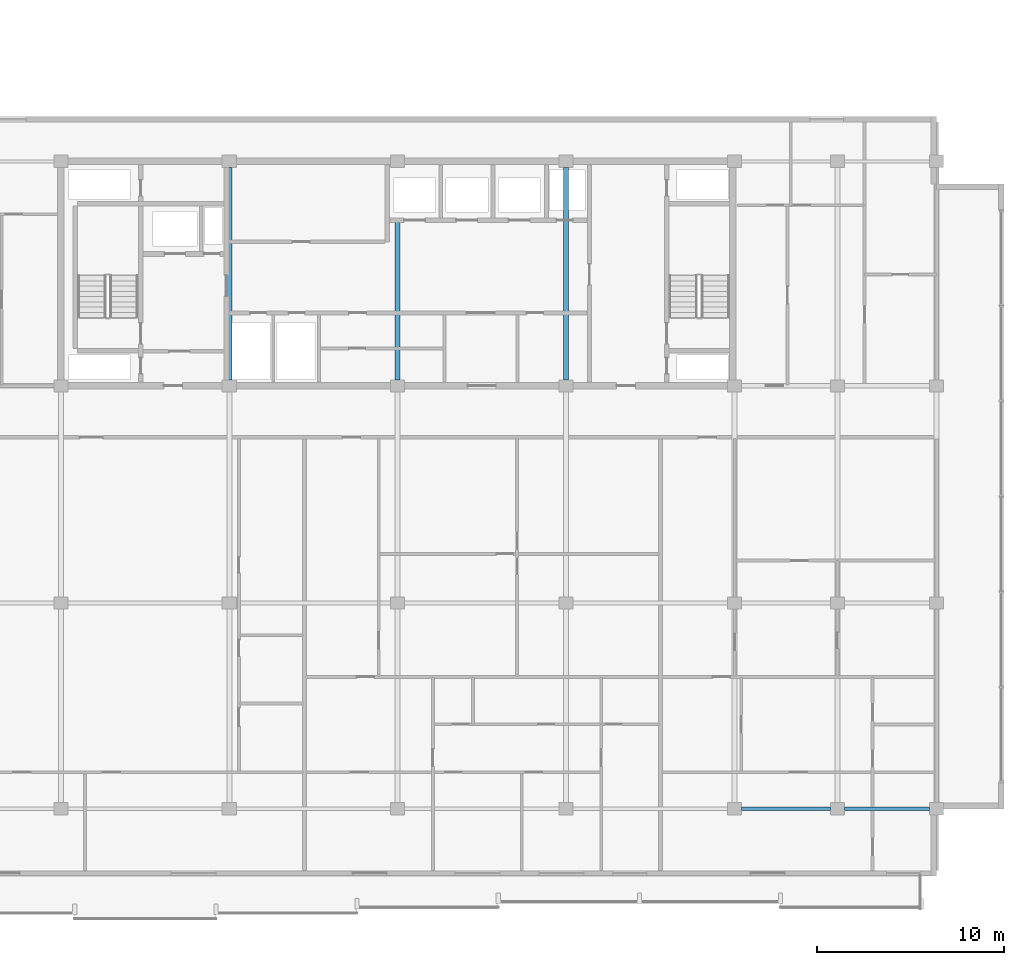
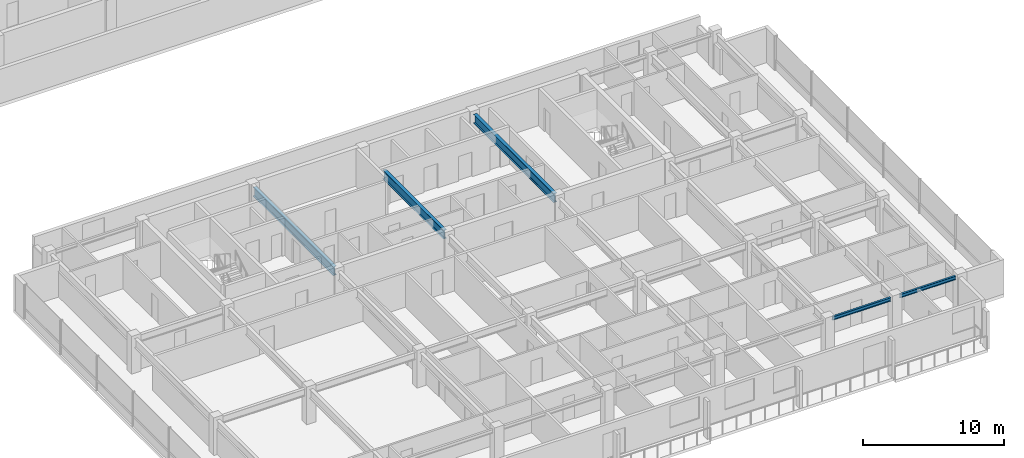
# One storey, part 7 of 30: 5 beams.
"""IFC4 building model written with IfcOpenShell, lengths in metres."""

from ifc_helpers import new_model, si_unit, direction, frame, origin, origin_2d, place, context, subcontext, project, spatial, i_section, extrude, material, material_profile, profile_set, type_object, element, save


model = new_model("IFC4")

# Units and contexts
model_context = context("Model", 3, precision=1e-05, world=origin(), true_north=direction((0.0, 1.0)))
body_context = subcontext(model_context, "Body", "Model", "MODEL_VIEW")
ifc_project = project(units=[si_unit("LENGTHUNIT", "METRE"), si_unit("AREAUNIT", "SQUARE_METRE"), si_unit("VOLUMEUNIT", "CUBIC_METRE"), si_unit("PLANEANGLEUNIT", "RADIAN"), si_unit("MASSUNIT", "GRAM", prefix="KILO")], contexts=[model_context])

# Site, building, storey
site_placement = place(None, origin())
site = spatial("IfcSite", under=ifc_project, at=site_placement, CompositionType="ELEMENT")
building_placement = place(site_placement, origin())
building = spatial("IfcBuilding", under=site, at=building_placement, Name="Korimba Cascade Residences", CompositionType="ELEMENT")
storey_placement = place(building_placement, frame((0.0, 0.0, 201.10009765625)))
storey = spatial("IfcBuildingStorey", under=building, at=storey_placement, Name="L58", CompositionType="ELEMENT", Elevation=201.10009765625)

# Beams
ifc_material = material(Name="Steel S355", Category="steel")
ifc_material_profile_1 = material_profile(ifc_material, i_section(OverallWidth=0.165771484375, OverallDepth=0.306640625, WebThickness=0.006591796875, FlangeThickness=0.01171875, FilletRadius=0.0087890625, at=origin_2d()), Name="Steel S355")
ifc_profile_set_1 = profile_set([ifc_material_profile_1], Name="Steel S355")
beam_type_1 = type_object("IfcBeamType", Name="BM-STL-UB305", PredefinedType="SPANDREL", material=ifc_profile_set_1)
beam_1_placement = place(storey_placement, frame((118.47509765625, -4.199951171875, 2.816650390625), z_axis=(1.0, 0.0, 0.0), x_axis=(0.0, 1.0, 0.0)))
element("IfcBeam", 1, at=beam_1_placement, inside=storey, type_object=beam_type_1, Name="L58 T2 E-W Girder Y1 Bay 6", PredefinedType="SPANDREL", context=body_context, shape_type="SweptSolid", body=[
    extrude(i_section(OverallWidth=0.165771484375, OverallDepth=0.306640625, WebThickness=0.006591796875, FlangeThickness=0.01171875, FilletRadius=0.0087890625, at=origin_2d()), origin(), (0.0, 0.0, 1.0), 4.75),
])
beam_2_placement = place(storey_placement, frame((123.97509765625, -4.199951171875, 2.816650390625), z_axis=(1.0, 0.0, 0.0), x_axis=(0.0, 1.0, 0.0)))
element("IfcBeam", 2, at=beam_2_placement, inside=storey, type_object=beam_type_1, Name="L58 T2 E-W Girder Y1 Bay 7", PredefinedType="SPANDREL", context=body_context, shape_type="SweptSolid", body=[
    extrude(i_section(OverallWidth=0.165771484375, OverallDepth=0.306640625, WebThickness=0.006591796875, FlangeThickness=0.01171875, FilletRadius=0.0087890625, at=origin_2d()), origin(), (0.0, 0.0, 1.0), 4.5498046875),
])
ifc_material_profile_2 = material_profile(ifc_material, i_section(OverallWidth=0.26806640625, OverallDepth=0.769775390625, WebThickness=0.015625, FlangeThickness=0.025390625, FilletRadius=0.0166015625, at=origin_2d()), Name="Steel S355")
ifc_profile_set_2 = profile_set([ifc_material_profile_2], Name="Steel S355")
beam_type_2 = type_object("IfcBeamType", Name="BM-STL-UB762", PredefinedType="BEAM", material=ifc_profile_set_2)
beam_3_placement = place(storey_placement, frame((91.10009765625, 18.72509765625, 2.5849609375), z_axis=(0.0, 1.0, 0.0), x_axis=(-1.0, 0.0, 0.0)))
element("IfcBeam", 3, at=beam_3_placement, inside=storey, type_object=beam_type_2, Name="L58 T2 N-S Girder X3 Seg 3", PredefinedType="BEAM", context=body_context, shape_type="SweptSolid", body=[
    extrude(i_section(OverallWidth=0.26806640625, OverallDepth=0.769775390625, WebThickness=0.015625, FlangeThickness=0.025390625, FilletRadius=0.0166015625, at=origin_2d()), origin(), (0.0, 0.0, 1.0), 11.349853515625),
])
beam_4_placement = place(storey_placement, frame((100.10009765625, 18.72509765625, 2.5849609375), z_axis=(0.0, 1.0, 0.0), x_axis=(-1.0, 0.0, 0.0)))
element("IfcBeam", 4, at=beam_4_placement, inside=storey, type_object=beam_type_2, Name="L58 T2 N-S Girder X4 Seg 3", PredefinedType="BEAM", context=body_context, shape_type="SweptSolid", body=[
    extrude(i_section(OverallWidth=0.26806640625, OverallDepth=0.769775390625, WebThickness=0.015625, FlangeThickness=0.025390625, FilletRadius=0.0166015625, at=origin_2d()), origin(), (0.0, 0.0, 1.0), 8.614990234375),
])
beam_5_placement = place(storey_placement, frame((109.10009765625, 18.72509765625, 2.5849609375), z_axis=(0.0, 1.0, 0.0), x_axis=(-1.0, 0.0, 0.0)))
element("IfcBeam", 5, at=beam_5_placement, inside=storey, type_object=beam_type_2, Name="L58 T2 N-S Girder X5 Seg 3", PredefinedType="BEAM", context=body_context, shape_type="SweptSolid", body=[
    extrude(i_section(OverallWidth=0.26806640625, OverallDepth=0.769775390625, WebThickness=0.015625, FlangeThickness=0.025390625, FilletRadius=0.0166015625, at=origin_2d()), origin(), (0.0, 0.0, 1.0), 11.349853515625),
])

save(model, "model.ifc")
